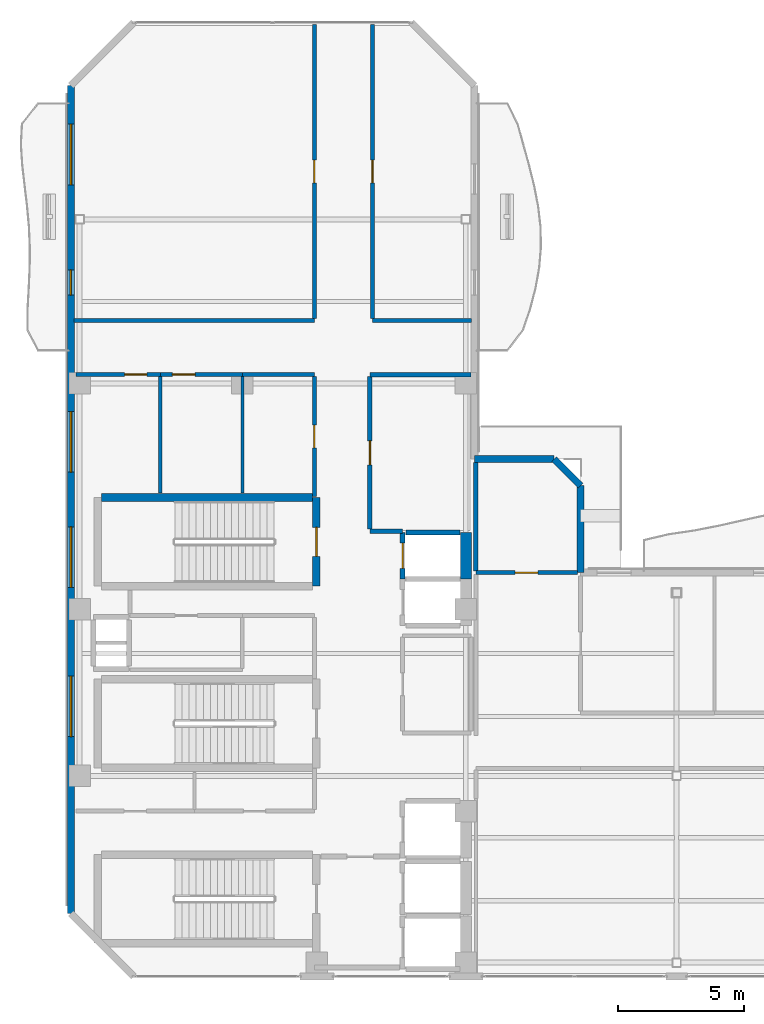
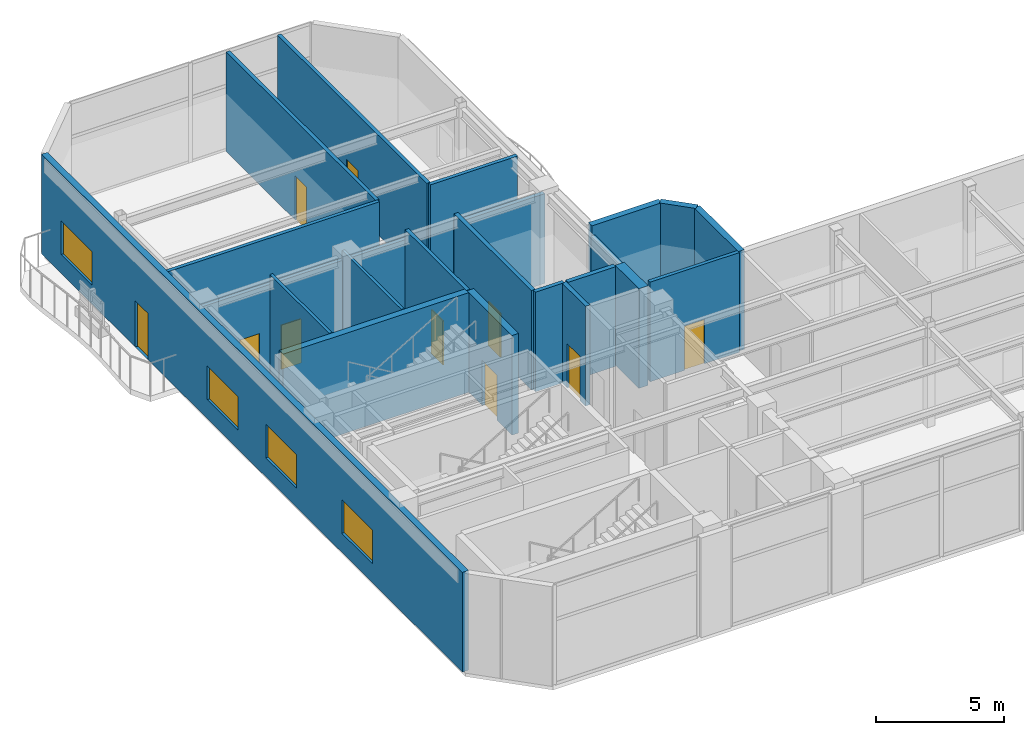
# One storey, part 11 of 16: 24 walls, 10 doors, 4 windows, 14 openings.
"""IFC4 building model written with IfcOpenShell, lengths in metres."""

from ifc_helpers import new_model, si_unit, direction, frame, frame_2d, origin, place, context, subcontext, project, spatial, rectangle, extrude, material, layer, layer_set, type_object, element, fill, save


model = new_model("IFC4")

# Units and contexts
model_context = context("Model", 3, precision=1e-05, world=origin(), true_north=direction((0.0, 1.0)))
body_context = subcontext(model_context, "Body", "Model", "MODEL_VIEW")
ifc_project = project(units=[si_unit("LENGTHUNIT", "METRE"), si_unit("AREAUNIT", "SQUARE_METRE"), si_unit("VOLUMEUNIT", "CUBIC_METRE"), si_unit("PLANEANGLEUNIT", "RADIAN"), si_unit("MASSUNIT", "GRAM", prefix="KILO")], contexts=[model_context])

# Site, building, storey
site_placement = place(None, origin())
site = spatial("IfcSite", under=ifc_project, at=site_placement, CompositionType="ELEMENT")
building_placement = place(site_placement, origin())
building = spatial("IfcBuilding", under=site, at=building_placement, Name="Mawjaban Terraces University", CompositionType="ELEMENT")
storey_placement = place(building_placement, frame((0.0, 0.0, 311.699951171875)))
storey = spatial("IfcBuildingStorey", under=building, at=storey_placement, Name="L76", CompositionType="ELEMENT", Elevation=311.699951171875)

# Walls
ifc_material_1 = material(Name="Acoustic masonry blockwork", Category="masonry")
ifc_layer_1 = layer(ifc_material_1, 0.179931640625)
ifc_layer_set_1 = layer_set([ifc_layer_1], Name="Acoustic masonry blockwork")
wall_type_1 = type_object("IfcWallType", Name="AcousticStudioWall_180", PredefinedType="PARTITIONING", material=ifc_layer_set_1)
wall_1_placement = place(storey_placement, frame((33.85009765625, 17.64990234375, 0.0), z_axis=(0.0, 0.0, 1.0), x_axis=(1.0, 0.0, 0.0)))
element("IfcWall", 1, at=wall_1_placement, inside=storey, type_object=wall_type_1, Name="L76 Lookout Exhibition Curatorial Studio Partition 11", PredefinedType="PARTITIONING", context=body_context, shape_type="SweptSolid", body=[
    extrude(rectangle(XDim=1.2998046875, YDim=0.179931640625, at=frame_2d((0.64990234375, 0.0))), origin(), (0.0, 0.0, 1.0), 4.739990234375),
])
wall_2_placement = place(storey_placement, frame((37.85009765625, 23.85009765625, 0.0), z_axis=(0.0, 0.0, 1.0), x_axis=(-1.0, 0.0, 0.0)))
element("IfcWall", 2, at=wall_2_placement, inside=storey, type_object=wall_type_1, Name="L76 Lookout Exhibition Curatorial Studio Partition 15", PredefinedType="PARTITIONING", context=body_context, shape_type="SweptSolid", body=[
    extrude(rectangle(XDim=4.0, YDim=0.179931640625, at=frame_2d((2.0, 0.0))), origin(), (0.0, 0.0, 1.0), 4.27099609375),
])

# Wall, opening, door
wall_3_placement = place(storey_placement, frame((33.85009765625, 17.735107421875, 0.0), z_axis=(0.0, 0.0, 1.0), x_axis=(0.0, 1.0, 0.0)))
wall_3 = element("IfcWall", 3, at=wall_3_placement, inside=storey, type_object=wall_type_1, Name="L76 Observation North Lift Lobby Partition 31", PredefinedType="PARTITIONING", context=body_context, shape_type="SweptSolid", body=[
    extrude(rectangle(XDim=6.02978515625, YDim=0.179931640625, at=frame_2d((3.014892578125, 0.0))), origin(), (0.0, 0.0, 1.0), 4.739990234375),
])
opening_1_placement = place(wall_3_placement, frame((2.5400390625, 0.0, 0.0)))
opening_1 = element("IfcOpeningElement", 4, at=opening_1_placement, cuts=wall_3, Name="Opening ID-095", PredefinedType="OPENING", context=body_context, shape_type="SweptSolid", body=[
    extrude(rectangle(XDim=0.949951171875, YDim=2.10009765625, at=frame_2d((0.47509765625, 1.050048828125))), frame((0.0, 0.099853515625, 0.0), z_axis=(0.0, -1.0, 0.0), x_axis=(1.0, 0.0, 0.0)), (0.0, 0.0, 1.0), 0.199951171875),
])
ifc_material_2 = material(Name="Powder-coated steel frame and solid acoustic timber leaf", Category="steel")
door_type_1 = type_object("IfcDoorType", Name="StudioDoor_950x2100", OperationType="NOTDEFINED", PredefinedType="DOOR", material=ifc_material_2)
door_1_placement = place(opening_1_placement, origin())
door_1 = element("IfcDoor", 5, at=door_1_placement, inside=storey, type_object=door_type_1, Name="L76 Lookout Exhibition Curatorial Studio Door", OperationType="SINGLE_SWING_RIGHT", OverallHeight=2.10009765625, OverallWidth=0.949951171875, PredefinedType="DOOR", context=body_context, shape_type="SweptSolid", body=[
    extrude(rectangle(XDim=0.949951171875, YDim=2.10009765625, at=frame_2d((0.47509765625, 1.050048828125))), frame((0.0, 0.02490234375, 0.0), z_axis=(0.0, -1.0, 0.0), x_axis=(1.0, 0.0, 0.0)), (0.0, 0.0, 1.0), 0.050048828125),
])
fill(opening_1, door_1)

# Walls
wall_4_placement = place(storey_placement, frame((38.050048828125, 20.366943359375, 0.0), z_axis=(0.0, 0.0, 1.0), x_axis=(0.0, -1.0, 0.0)))
element("IfcWall", 6, at=wall_4_placement, inside=storey, type_object=wall_type_1, Name="L76 Lookout Terrace Vestibule Salon Partition 38", PredefinedType="PARTITIONING", context=body_context, shape_type="SweptSolid", body=[
    extrude(rectangle(XDim=4.2919921875, YDim=0.179931640625, at=frame_2d((2.14599609375, 0.0))), origin(), (0.0, 0.0, 1.0), 4.27099609375),
])
ifc_material_3 = material(Name="Concrete C50/60", Category="concrete")
ifc_layer_2 = layer(ifc_material_3, 0.419921875)
ifc_layer_set_2 = layer_set([ifc_layer_2], Name="Concrete C50/60")
wall_type_2 = type_object("IfcWallType", Name="CoreShearWall_420", PredefinedType="SHEAR", material=ifc_layer_set_2)
wall_5_placement = place(storey_placement, frame((37.659912109375, 15.75, 0.0), z_axis=(0.0, 0.0, 1.0), x_axis=(0.0, 1.0, 0.0)))
element("IfcWall", 7, at=wall_5_placement, inside=storey, type_object=wall_type_2, Name="L76 Lift OL-2 Hoistway Wall East", PredefinedType="SHEAR", context=body_context, shape_type="SweptSolid", body=[
    extrude(rectangle(XDim=1.85009765625, YDim=0.419921875, at=frame_2d((0.925048828125, 0.0))), origin(), (0.0, 0.0, 1.0), 4.739990234375),
])

# Wall, opening, door
ifc_material_4 = material(Name="Fire-rated gypsum board on steel stud", Category="steel")
ifc_layer_3 = layer(ifc_material_4, 0.159912109375)
ifc_layer_set_3 = layer_set([ifc_layer_3], Name="Fire-rated gypsum board on steel stud")
wall_type_3 = type_object("IfcWallType", Name="CorridorPartition_160", PredefinedType="PARTITIONING", material=ifc_layer_set_3)
wall_6_placement = place(storey_placement, frame((25.550048828125, 23.85009765625, 0.0), z_axis=(0.0, 0.0, 1.0), x_axis=(-1.0, 0.0, 0.0)))
wall_6 = element("IfcWall", 8, at=wall_6_placement, inside=storey, type_object=wall_type_3, Name="L76 Female Toilet Partition 3", PredefinedType="PARTITIONING", context=body_context, shape_type="SweptSolid", body=[
    extrude(rectangle(XDim=3.35009765625, YDim=0.159912109375, at=frame_2d((1.675048828125, 0.0))), origin(), (0.0, 0.0, 1.0), 4.27099609375),
])
opening_2_placement = place(wall_6_placement, frame((0.534912109375, 0.0, 0.0)))
opening_2 = element("IfcOpeningElement", 9, at=opening_2_placement, cuts=wall_6, Name="Opening ID-088", PredefinedType="OPENING", context=body_context, shape_type="SweptSolid", body=[
    extrude(rectangle(XDim=0.8798828125, YDim=2.10009765625, at=frame_2d((0.43994140625, 1.050048828125))), frame((0.0, 0.08984375, 0.0), z_axis=(0.0, -1.0, 0.0), x_axis=(1.0, 0.0, 0.0)), (0.0, 0.0, 1.0), 0.179931640625),
])
door_type_2 = type_object("IfcDoorType", Name="ToiletDoor_880x2100", OperationType="NOTDEFINED", PredefinedType="DOOR", material=ifc_material_2)
door_2_placement = place(opening_2_placement, origin())
door_2 = element("IfcDoor", 10, at=door_2_placement, inside=storey, type_object=door_type_2, Name="L76 Female Toilet Door", OperationType="SINGLE_SWING_LEFT", OverallHeight=2.10009765625, OverallWidth=0.8798828125, PredefinedType="DOOR", context=body_context, shape_type="SweptSolid", body=[
    extrude(rectangle(XDim=0.8798828125, YDim=2.10009765625, at=frame_2d((0.43994140625, 1.050048828125))), frame((0.0, 0.02490234375, 0.0), z_axis=(0.0, -1.0, 0.0), x_axis=(1.0, 0.0, 0.0)), (0.0, 0.0, 1.0), 0.050048828125),
])
fill(opening_2, door_2)

wall_7_placement = place(storey_placement, frame((28.800048828125, 23.85009765625, 0.0), z_axis=(0.0, 0.0, 1.0), x_axis=(-1.0, 0.0, 0.0)))
wall_7 = element("IfcWall", 11, at=wall_7_placement, inside=storey, type_object=wall_type_3, Name="L76 Staff Tea Pantry Partition 6", PredefinedType="PARTITIONING", context=body_context, shape_type="SweptSolid", body=[
    extrude(rectangle(XDim=3.25, YDim=0.159912109375, at=frame_2d((1.625, 0.0))), origin(), (0.0, 0.0, 1.0), 4.27099609375),
])
opening_3_placement = place(wall_7_placement, frame((1.875, 0.0, 0.0)))
opening_3 = element("IfcOpeningElement", 12, at=opening_3_placement, cuts=wall_7, Name="Opening ID-090", PredefinedType="OPENING", context=body_context, shape_type="SweptSolid", body=[
    extrude(rectangle(XDim=0.89990234375, YDim=2.10009765625, at=frame_2d((0.449951171875, 1.050048828125))), frame((0.0, 0.08984375, 0.0), z_axis=(0.0, -1.0, 0.0), x_axis=(1.0, 0.0, 0.0)), (0.0, 0.0, 1.0), 0.179931640625),
])
door_type_3 = type_object("IfcDoorType", Name="OfficeDoor_900x2100", OperationType="NOTDEFINED", PredefinedType="DOOR", material=ifc_material_2)
door_3_placement = place(opening_3_placement, origin())
door_3 = element("IfcDoor", 13, at=door_3_placement, inside=storey, type_object=door_type_3, Name="L76 Staff Tea Pantry Door", OperationType="SINGLE_SWING_RIGHT", OverallHeight=2.10009765625, OverallWidth=0.89990234375, PredefinedType="DOOR", context=body_context, shape_type="SweptSolid", body=[
    extrude(rectangle(XDim=0.89990234375, YDim=2.10009765625, at=frame_2d((0.449951171875, 1.050048828125))), frame((0.0, 0.02490234375, 0.0), z_axis=(0.0, -1.0, 0.0), x_axis=(1.0, 0.0, 0.0)), (0.0, 0.0, 1.0), 0.050048828125),
])
fill(opening_3, door_3)

# Walls
wall_8_placement = place(storey_placement, frame((31.64990234375, 23.85009765625, 0.0), z_axis=(0.0, 0.0, 1.0), x_axis=(-1.0, 0.0, 0.0)))
element("IfcWall", 14, at=wall_8_placement, inside=storey, type_object=wall_type_3, Name="L76 Sky Observatory Visitor Lounge Partition 9", PredefinedType="PARTITIONING", context=body_context, shape_type="SweptSolid", body=[
    extrude(rectangle(XDim=2.849853515625, YDim=0.159912109375, at=frame_2d((1.4248046875, 0.0))), origin(), (0.0, 0.0, 1.0), 4.27099609375),
])
wall_9_placement = place(storey_placement, frame((31.64990234375, 26.0, 0.0), z_axis=(0.0, 0.0, 1.0), x_axis=(-1.0, 0.0, 0.0)))
element("IfcWall", 15, at=wall_9_placement, inside=storey, type_object=wall_type_3, Name="L76 North Core Cross-Corridor Partition 10", PredefinedType="PARTITIONING", context=body_context, shape_type="SweptSolid", body=[
    extrude(rectangle(XDim=9.516845703125, YDim=0.159912109375, at=frame_2d((4.75830078125, 0.0))), origin(), (0.0, 0.0, 1.0), 4.739990234375),
])
wall_10_placement = place(storey_placement, frame((37.866943359375, 26.0, 0.0), z_axis=(0.0, 0.0, 1.0), x_axis=(-1.0, 0.0, 0.0)))
element("IfcWall", 16, at=wall_10_placement, inside=storey, type_object=wall_type_3, Name="L76 North Core Cross-Corridor Partition 16", PredefinedType="PARTITIONING", context=body_context, shape_type="SweptSolid", body=[
    extrude(rectangle(XDim=3.9169921875, YDim=0.159912109375, at=frame_2d((1.95849609375, 0.0))), origin(), (0.0, 0.0, 1.0), 4.739990234375),
])

# Wall, opening, door
wall_11_placement = place(storey_placement, frame((38.050048828125, 16.0, 0.0), z_axis=(0.0, 0.0, 1.0), x_axis=(1.0, 0.0, 0.0)))
wall_11 = element("IfcWall", 17, at=wall_11_placement, inside=storey, type_object=wall_type_3, Name="L76 Lookout Terrace Vestibule Salon Partition 18", PredefinedType="PARTITIONING", context=body_context, shape_type="SweptSolid", body=[
    extrude(rectangle(XDim=4.01806640625, YDim=0.159912109375, at=frame_2d((2.009033203125, 0.0))), origin(), (0.0, 0.0, 1.0), 4.739990234375),
])
opening_4_placement = place(wall_11_placement, frame((1.55908203125, 0.0, 0.0)))
opening_4 = element("IfcOpeningElement", 18, at=opening_4_placement, cuts=wall_11, Name="Opening ID-090", PredefinedType="OPENING", context=body_context, shape_type="SweptSolid", body=[
    extrude(rectangle(XDim=0.89990234375, YDim=2.10009765625, at=frame_2d((0.449951171875, 1.050048828125))), frame((0.0, 0.08984375, 0.0), z_axis=(0.0, -1.0, 0.0), x_axis=(1.0, 0.0, 0.0)), (0.0, 0.0, 1.0), 0.179931640625),
])
door_4_placement = place(opening_4_placement, origin())
door_4 = element("IfcDoor", 19, at=door_4_placement, inside=storey, type_object=door_type_3, Name="L76 Lookout Terrace Vestibule Salon Door", OperationType="SINGLE_SWING_RIGHT", OverallHeight=2.10009765625, OverallWidth=0.89990234375, PredefinedType="DOOR", context=body_context, shape_type="SweptSolid", body=[
    extrude(rectangle(XDim=0.89990234375, YDim=2.10009765625, at=frame_2d((0.449951171875, 1.050048828125))), frame((0.0, 0.02490234375, 0.0), z_axis=(0.0, -1.0, 0.0), x_axis=(1.0, 0.0, 0.0)), (0.0, 0.0, 1.0), 0.050048828125),
])
fill(opening_4, door_4)

wall_12_placement = place(storey_placement, frame((31.64990234375, 19.010009765625, 0.0), z_axis=(0.0, 0.0, 1.0), x_axis=(0.0, 1.0, 0.0)))
wall_12 = element("IfcWall", 20, at=wall_12_placement, inside=storey, type_object=wall_type_3, Name="L76 Sky Observatory Visitor Lounge Partition 29", PredefinedType="PARTITIONING", context=body_context, shape_type="SweptSolid", body=[
    extrude(rectangle(XDim=4.764892578125, YDim=0.159912109375, at=frame_2d((2.38232421875, 0.0))), origin(), (0.0, 0.0, 1.0), 4.739990234375),
])
opening_5_placement = place(wall_12_placement, frame((1.931884765625, 0.0, 0.0)))
opening_5 = element("IfcOpeningElement", 21, at=opening_5_placement, cuts=wall_12, Name="Opening ID-090", PredefinedType="OPENING", context=body_context, shape_type="SweptSolid", body=[
    extrude(rectangle(XDim=0.89990234375, YDim=2.10009765625, at=frame_2d((0.449951171875, 1.050048828125))), frame((0.0, 0.08984375, 0.0), z_axis=(0.0, -1.0, 0.0), x_axis=(1.0, 0.0, 0.0)), (0.0, 0.0, 1.0), 0.179931640625),
])
door_5_placement = place(opening_5_placement, origin())
door_5 = element("IfcDoor", 22, at=door_5_placement, inside=storey, type_object=door_type_3, Name="L76 Sky Observatory Visitor Lounge Door", OperationType="SINGLE_SWING_LEFT", OverallHeight=2.10009765625, OverallWidth=0.89990234375, PredefinedType="DOOR", context=body_context, shape_type="SweptSolid", body=[
    extrude(rectangle(XDim=0.89990234375, YDim=2.10009765625, at=frame_2d((0.449951171875, 1.050048828125))), frame((0.0, 0.02490234375, 0.0), z_axis=(0.0, -1.0, 0.0), x_axis=(1.0, 0.0, 0.0)), (0.0, 0.0, 1.0), 0.050048828125),
])
fill(opening_5, door_5)

wall_13_placement = place(storey_placement, frame((31.64990234375, 37.719970703125, 0.0), z_axis=(0.0, 0.0, 1.0), x_axis=(0.0, -1.0, 0.0)))
wall_13 = element("IfcWall", 23, at=wall_13_placement, inside=storey, type_object=wall_type_3, Name="L76 Observation North Corridor Partition 30", PredefinedType="PARTITIONING", context=body_context, shape_type="SweptSolid", body=[
    extrude(rectangle(XDim=11.64501953125, YDim=0.159912109375, at=frame_2d((5.822509765625, 0.0))), origin(), (0.0, 0.0, 1.0), 4.739990234375),
])
opening_6_placement = place(wall_13_placement, frame((5.3720703125, 0.0, 0.0)))
opening_6 = element("IfcOpeningElement", 24, at=opening_6_placement, cuts=wall_13, Name="Opening ID-090", PredefinedType="OPENING", context=body_context, shape_type="SweptSolid", body=[
    extrude(rectangle(XDim=0.89990234375, YDim=2.10009765625, at=frame_2d((0.449951171875, 1.050048828125))), frame((0.0, 0.08984375, 0.0), z_axis=(0.0, -1.0, 0.0), x_axis=(1.0, 0.0, 0.0)), (0.0, 0.0, 1.0), 0.179931640625),
])
door_6_placement = place(opening_6_placement, origin())
door_6 = element("IfcDoor", 25, at=door_6_placement, inside=storey, type_object=door_type_3, Name="L76 Hijaz Topography Exhibition Hall Door", OperationType="SINGLE_SWING_LEFT", OverallHeight=2.10009765625, OverallWidth=0.89990234375, PredefinedType="DOOR", context=body_context, shape_type="SweptSolid", body=[
    extrude(rectangle(XDim=0.89990234375, YDim=2.10009765625, at=frame_2d((0.449951171875, 1.050048828125))), frame((0.0, 0.02490234375, 0.0), z_axis=(0.0, -1.0, 0.0), x_axis=(1.0, 0.0, 0.0)), (0.0, 0.0, 1.0), 0.050048828125),
])
fill(opening_6, door_6)

wall_14_placement = place(storey_placement, frame((33.949951171875, 26.074951171875, 0.0), z_axis=(0.0, 0.0, 1.0), x_axis=(0.0, 1.0, 0.0)))
wall_14 = element("IfcWall", 26, at=wall_14_placement, inside=storey, type_object=wall_type_3, Name="L76 Observation North Corridor Partition 32", PredefinedType="PARTITIONING", context=body_context, shape_type="SweptSolid", body=[
    extrude(rectangle(XDim=11.64501953125, YDim=0.159912109375, at=frame_2d((5.822509765625, 0.0))), origin(), (0.0, 0.0, 1.0), 4.739990234375),
])
opening_7_placement = place(wall_14_placement, frame((5.3720703125, 0.0, 0.0)))
opening_7 = element("IfcOpeningElement", 27, at=opening_7_placement, cuts=wall_14, Name="Opening ID-090", PredefinedType="OPENING", context=body_context, shape_type="SweptSolid", body=[
    extrude(rectangle(XDim=0.89990234375, YDim=2.10009765625, at=frame_2d((0.449951171875, 1.050048828125))), frame((0.0, 0.08984375, 0.0), z_axis=(0.0, -1.0, 0.0), x_axis=(1.0, 0.0, 0.0)), (0.0, 0.0, 1.0), 0.179931640625),
])
door_7_placement = place(opening_7_placement, origin())
door_7 = element("IfcDoor", 28, at=door_7_placement, inside=storey, type_object=door_type_3, Name="L76 Sky Lookout Quiet Reading Gallery Door", OperationType="SINGLE_SWING_RIGHT", OverallHeight=2.10009765625, OverallWidth=0.89990234375, PredefinedType="DOOR", context=body_context, shape_type="SweptSolid", body=[
    extrude(rectangle(XDim=0.89990234375, YDim=2.10009765625, at=frame_2d((0.449951171875, 1.050048828125))), frame((0.0, 0.02490234375, 0.0), z_axis=(0.0, -1.0, 0.0), x_axis=(1.0, 0.0, 0.0)), (0.0, 0.0, 1.0), 0.050048828125),
])
fill(opening_7, door_7)

# Walls
ifc_material_5 = material(Name="Insulated terracotta rainscreen on concrete backup C40/50", Category="masonry")
ifc_layer_4 = layer(ifc_material_5, 0.27490234375)
ifc_layer_set_4 = layer_set([ifc_layer_4], Name="Insulated terracotta rainscreen on concrete backup C40/50")
wall_type_4 = type_object("IfcWallType", Name="ExtTerracottaWall_275", PredefinedType="SOLIDWALL", material=ifc_layer_set_4)
wall_15_placement = place(storey_placement, frame((42.199951171875, 16.0, 0.0), z_axis=(0.0, 0.0, 1.0), x_axis=(0.0, 1.0, 0.0)))
element("IfcWall", 29, at=wall_15_placement, inside=storey, type_object=wall_type_4, Name="L76 Exterior Terracotta Wall 6", PredefinedType="SOLIDWALL", context=body_context, shape_type="SweptSolid", body=[
    extrude(rectangle(XDim=3.449951171875, YDim=0.27490234375, at=frame_2d((1.72509765625, 0.0))), origin(), (0.0, 0.0, 1.0), 4.739990234375),
])
wall_16_placement = place(storey_placement, frame((42.199951171875, 19.449951171875, 0.0), z_axis=(0.0, 0.0, 1.0), x_axis=(-0.707106781187, 0.707106781187, 0.0)))
element("IfcWall", 30, at=wall_16_placement, inside=storey, type_object=wall_type_4, Name="L76 Exterior Terracotta Wall 7", PredefinedType="SOLIDWALL", context=body_context, shape_type="SweptSolid", body=[
    extrude(rectangle(XDim=1.485107421875, YDim=0.27490234375, at=frame_2d((0.74267578125, 0.0))), origin(), (0.0, 0.0, 1.0), 4.739990234375),
])
wall_17_placement = place(storey_placement, frame((41.14990234375, 20.5, 0.0), z_axis=(0.0, 0.0, 1.0), x_axis=(-1.0, 0.0, 0.0)))
element("IfcWall", 31, at=wall_17_placement, inside=storey, type_object=wall_type_4, Name="L76 Exterior Terracotta Wall 8", PredefinedType="SOLIDWALL", context=body_context, shape_type="SweptSolid", body=[
    extrude(rectangle(XDim=3.14990234375, YDim=0.27490234375, at=frame_2d((1.574951171875, 0.0))), origin(), (0.0, 0.0, 1.0), 4.739990234375),
])

# Wall, openings, door, windows
wall_18_placement = place(storey_placement, frame((22.0, 35.300048828125, 0.0), z_axis=(0.0, 0.0, 1.0), x_axis=(0.0, -1.0, 0.0)))
wall_18 = element("IfcWall", 32, at=wall_18_placement, inside=storey, type_object=wall_type_4, Name="L76 Exterior Terracotta Wall 13", PredefinedType="SOLIDWALL", context=body_context, shape_type="SweptSolid", body=[
    extrude(rectangle(XDim=32.800048828125, YDim=0.27490234375, at=frame_2d((16.39990234375, 0.0))), origin(), (0.0, 0.0, 1.0), 4.739990234375),
])
opening_8_placement = place(wall_18_placement, frame((7.300048828125, 0.0, 0.0)))
opening_8 = element("IfcOpeningElement", 33, at=opening_8_placement, cuts=wall_18, Name="Opening BD-100", PredefinedType="OPENING", context=body_context, shape_type="SweptSolid", body=[
    extrude(rectangle(XDim=1.0, YDim=2.199951171875, at=frame_2d((0.5, 1.10009765625))), frame((0.0, 0.1474609375, 0.0), z_axis=(0.0, -1.0, 0.0), x_axis=(1.0, 0.0, 0.0)), (0.0, 0.0, 1.0), 0.294921875),
])
opening_9_placement = place(wall_18_placement, frame((1.532958984375, 0.0, 0.89990234375)))
opening_9 = element("IfcOpeningElement", 34, at=opening_9_placement, cuts=wall_18, Name="Opening W-05", PredefinedType="OPENING", context=body_context, shape_type="SweptSolid", body=[
    extrude(rectangle(XDim=2.39990234375, YDim=1.60009765625, at=frame_2d((1.199951171875, 0.800048828125))), frame((0.0, 0.1474609375, 0.0), z_axis=(0.0, -1.0, 0.0), x_axis=(1.0, 0.0, 0.0)), (0.0, 0.0, 1.0), 0.294921875),
])
opening_10_placement = place(wall_18_placement, frame((12.9169921875, 0.0, 0.89990234375)))
opening_10 = element("IfcOpeningElement", 35, at=opening_10_placement, cuts=wall_18, Name="Opening W-05", PredefinedType="OPENING", context=body_context, shape_type="SweptSolid", body=[
    extrude(rectangle(XDim=2.39990234375, YDim=1.60009765625, at=frame_2d((1.199951171875, 0.800048828125))), frame((0.0, 0.1474609375, 0.0), z_axis=(0.0, -1.0, 0.0), x_axis=(1.0, 0.0, 0.0)), (0.0, 0.0, 1.0), 0.294921875),
])
opening_11_placement = place(wall_18_placement, frame((17.48291015625, 0.0, 0.89990234375)))
opening_11 = element("IfcOpeningElement", 36, at=opening_11_placement, cuts=wall_18, Name="Opening W-05", PredefinedType="OPENING", context=body_context, shape_type="SweptSolid", body=[
    extrude(rectangle(XDim=2.39990234375, YDim=1.60009765625, at=frame_2d((1.199951171875, 0.800048828125))), frame((0.0, 0.1474609375, 0.0), z_axis=(0.0, -1.0, 0.0), x_axis=(1.0, 0.0, 0.0)), (0.0, 0.0, 1.0), 0.294921875),
])
opening_12_placement = place(wall_18_placement, frame((23.39990234375, 0.0, 0.89990234375)))
opening_12 = element("IfcOpeningElement", 37, at=opening_12_placement, cuts=wall_18, Name="Opening W-05", PredefinedType="OPENING", context=body_context, shape_type="SweptSolid", body=[
    extrude(rectangle(XDim=2.39990234375, YDim=1.60009765625, at=frame_2d((1.199951171875, 0.800048828125))), frame((0.0, 0.1474609375, 0.0), z_axis=(0.0, -1.0, 0.0), x_axis=(1.0, 0.0, 0.0)), (0.0, 0.0, 1.0), 0.294921875),
])
ifc_material_6 = material(Name="Thermally broken anodised aluminium and laminated safety glass", Category="aluminium")
door_type_4 = type_object("IfcDoorType", Name="BalconyGlazedDoor_1000x2200", OperationType="NOTDEFINED", PredefinedType="DOOR", material=ifc_material_6)
door_8_placement = place(opening_8_placement, origin())
door_8 = element("IfcDoor", 38, at=door_8_placement, inside=storey, type_object=door_type_4, Name="L76 Balcony Access Door west", OperationType="SINGLE_SWING_LEFT", OverallHeight=2.199951171875, OverallWidth=1.0, PredefinedType="DOOR", context=body_context, shape_type="SweptSolid", body=[
    extrude(rectangle(XDim=1.0, YDim=2.199951171875, at=frame_2d((0.5, 1.10009765625))), frame((0.0, 0.02490234375, 0.0), z_axis=(0.0, -1.0, 0.0), x_axis=(1.0, 0.0, 0.0)), (0.0, 0.0, 1.0), 0.050048828125),
])
fill(opening_8, door_8)
ifc_material_7 = material(Name="Low-E solar-control double glazing in thermally broken aluminium frame", Category="aluminium")
window_type = type_object("IfcWindowType", Name="Win_2400x1600", PartitioningType="SINGLE_PANEL", PredefinedType="WINDOW", material=ifc_material_7)
window_1_placement = place(opening_9_placement, origin())
window_1 = element("IfcWindow", 39, at=window_1_placement, inside=storey, type_object=window_type, Name="L76 Facade Window 13.1", OverallHeight=1.60009765625, OverallWidth=2.39990234375, PartitioningType="SINGLE_PANEL", PredefinedType="WINDOW", context=body_context, shape_type="SweptSolid", body=[
    extrude(rectangle(XDim=2.39990234375, YDim=1.60009765625, at=frame_2d((1.199951171875, 0.800048828125))), frame((0.0, 0.030029296875, 0.0), z_axis=(0.0, -1.0, 0.0), x_axis=(1.0, 0.0, 0.0)), (0.0, 0.0, 1.0), 0.06005859375),
])
fill(opening_9, window_1)
window_2_placement = place(opening_10_placement, origin())
window_2 = element("IfcWindow", 40, at=window_2_placement, inside=storey, type_object=window_type, Name="L76 Facade Window 13.3", OverallHeight=1.60009765625, OverallWidth=2.39990234375, PartitioningType="SINGLE_PANEL", PredefinedType="WINDOW", context=body_context, shape_type="SweptSolid", body=[
    extrude(rectangle(XDim=2.39990234375, YDim=1.60009765625, at=frame_2d((1.199951171875, 0.800048828125))), frame((0.0, 0.030029296875, 0.0), z_axis=(0.0, -1.0, 0.0), x_axis=(1.0, 0.0, 0.0)), (0.0, 0.0, 1.0), 0.06005859375),
])
fill(opening_10, window_2)
window_3_placement = place(opening_11_placement, origin())
window_3 = element("IfcWindow", 41, at=window_3_placement, inside=storey, type_object=window_type, Name="L76 Facade Window 13.4", OverallHeight=1.60009765625, OverallWidth=2.39990234375, PartitioningType="SINGLE_PANEL", PredefinedType="WINDOW", context=body_context, shape_type="SweptSolid", body=[
    extrude(rectangle(XDim=2.39990234375, YDim=1.60009765625, at=frame_2d((1.199951171875, 0.800048828125))), frame((0.0, 0.030029296875, 0.0), z_axis=(0.0, -1.0, 0.0), x_axis=(1.0, 0.0, 0.0)), (0.0, 0.0, 1.0), 0.06005859375),
])
fill(opening_11, window_3)
window_4_placement = place(opening_12_placement, origin())
window_4 = element("IfcWindow", 42, at=window_4_placement, inside=storey, type_object=window_type, Name="L76 Facade Window 13.5", OverallHeight=1.60009765625, OverallWidth=2.39990234375, PartitioningType="SINGLE_PANEL", PredefinedType="WINDOW", context=body_context, shape_type="SweptSolid", body=[
    extrude(rectangle(XDim=2.39990234375, YDim=1.60009765625, at=frame_2d((1.199951171875, 0.800048828125))), frame((0.0, 0.030029296875, 0.0), z_axis=(0.0, -1.0, 0.0), x_axis=(1.0, 0.0, 0.0)), (0.0, 0.0, 1.0), 0.06005859375),
])
fill(opening_12, window_4)

# Wall, opening, door
ifc_material_8 = material(Name="Concrete C40/50", Category="concrete")
ifc_layer_5 = layer(ifc_material_8, 0.199951171875)
ifc_layer_set_5 = layer_set([ifc_layer_5], Name="Concrete C40/50")
wall_type_5 = type_object("IfcWallType", Name="FireLobbyWall_200", PredefinedType="SOLIDWALL", material=ifc_layer_set_5)
wall_19_placement = place(storey_placement, frame((35.14990234375, 17.60009765625, 0.0), z_axis=(0.0, 0.0, 1.0), x_axis=(0.0, -1.0, 0.0)))
wall_19 = element("IfcWall", 43, at=wall_19_placement, inside=storey, type_object=wall_type_5, Name="L76 Lift OL-2 Hoistway Wall West", PredefinedType="SOLIDWALL", context=body_context, shape_type="SweptSolid", body=[
    extrude(rectangle(XDim=1.85009765625, YDim=0.199951171875, at=frame_2d((0.925048828125, 0.0))), origin(), (0.0, 0.0, 1.0), 4.739990234375),
])
opening_13_placement = place(wall_19_placement, frame((0.425048828125, 0.0, 0.0)))
opening_13 = element("IfcOpeningElement", 44, at=opening_13_placement, cuts=wall_19, Name="Opening LD-OL-2", PredefinedType="OPENING", context=body_context, shape_type="SweptSolid", body=[
    extrude(rectangle(XDim=1.0, YDim=2.10009765625, at=frame_2d((0.5, 1.050048828125))), frame((0.0, 0.10986328125, 0.0), z_axis=(0.0, -1.0, 0.0), x_axis=(1.0, 0.0, 0.0)), (0.0, 0.0, 1.0), 0.219970703125),
])
ifc_material_9 = material(Name="Powder-coated steel frame and fire-rated steel-faced leaf", Category="steel")
door_type_5 = type_object("IfcDoorType", Name="LiftLandingSliding_1000x2100", OperationType="NOTDEFINED", PredefinedType="DOOR", material=ifc_material_9)
door_9_placement = place(opening_13_placement, origin())
door_9 = element("IfcDoor", 45, at=door_9_placement, inside=storey, type_object=door_type_5, Name="L76 Lift OL-2 Sliding Landing Door", OperationType="DOUBLE_DOOR_SLIDING", OverallHeight=2.10009765625, OverallWidth=1.0, PredefinedType="DOOR", context=body_context, shape_type="SweptSolid", body=[
    extrude(rectangle(XDim=1.0, YDim=2.10009765625, at=frame_2d((0.5, 1.050048828125))), frame((0.0, 0.02490234375, 0.0), z_axis=(0.0, -1.0, 0.0), x_axis=(1.0, 0.0, 0.0)), (0.0, 0.0, 1.0), 0.050048828125),
])
fill(opening_13, door_9)

# Walls
wall_20_placement = place(storey_placement, frame((37.419921875, 17.60009765625, 0.0), z_axis=(0.0, 0.0, 1.0), x_axis=(-1.0, 0.0, 0.0)))
element("IfcWall", 46, at=wall_20_placement, inside=storey, type_object=wall_type_5, Name="L76 Lift OL-2 Hoistway Wall North", PredefinedType="SOLIDWALL", context=body_context, shape_type="SweptSolid", body=[
    extrude(rectangle(XDim=2.139892578125, YDim=0.199951171875, at=frame_2d((1.06982421875, 0.0))), origin(), (0.0, 0.0, 1.0), 4.739990234375),
])
ifc_material_10 = material(Name="Gypsum plasterboard on steel stud", Category="steel")
ifc_layer_6 = layer(ifc_material_10, 0.125)
ifc_layer_set_6 = layer_set([ifc_layer_6], Name="Gypsum plasterboard on steel stud")
wall_type_6 = type_object("IfcWallType", Name="OfficePartition_125", PredefinedType="PARTITIONING", material=ifc_layer_set_6)
wall_21_placement = place(storey_placement, frame((28.800048828125, 23.77490234375, 0.0), z_axis=(0.0, 0.0, 1.0), x_axis=(0.0, -1.0, 0.0)))
element("IfcWall", 47, at=wall_21_placement, inside=storey, type_object=wall_type_6, Name="L76 Sky Observatory Visitor Lounge Partition 26", PredefinedType="PARTITIONING", context=body_context, shape_type="SweptSolid", body=[
    extrude(rectangle(XDim=4.614990234375, YDim=0.125, at=frame_2d((2.3076171875, 0.0))), origin(), (0.0, 0.0, 1.0), 4.739990234375),
])
ifc_material_11 = material(Name="Concrete C60/75", Category="concrete")
ifc_layer_7 = layer(ifc_material_11, 0.300048828125)
ifc_layer_set_7 = layer_set([ifc_layer_7], Name="Concrete C60/75")
wall_type_7 = type_object("IfcWallType", Name="StairShaftWall_300", PredefinedType="SHEAR", material=ifc_layer_set_7)
wall_22_placement = place(storey_placement, frame((31.580078125, 18.97998046875, 0.0), z_axis=(0.0, 0.0, 1.0), x_axis=(-1.0, 0.0, 0.0)))
element("IfcWall", 48, at=wall_22_placement, inside=storey, type_object=wall_type_7, Name="L76 ST-2 Stair Shaft Wall 1", PredefinedType="SHEAR", context=body_context, shape_type="SweptSolid", body=[
    extrude(rectangle(XDim=8.360107421875, YDim=0.300048828125, at=frame_2d((4.18017578125, 0.0))), origin(), (0.0, 0.0, 1.0), 4.739990234375),
])

# Wall, opening, door
wall_23_placement = place(storey_placement, frame((31.72998046875, 15.469970703125, 0.0), z_axis=(0.0, 0.0, 1.0), x_axis=(0.0, 1.0, 0.0)))
wall_23 = element("IfcWall", 49, at=wall_23_placement, inside=storey, type_object=wall_type_7, Name="L76 ST-2 Stair Shaft Wall 4", PredefinedType="SHEAR", context=body_context, shape_type="SweptSolid", body=[
    extrude(rectangle(XDim=3.510009765625, YDim=0.300048828125, at=frame_2d((1.7548828125, 0.0))), origin(), (0.0, 0.0, 1.0), 4.739990234375),
])
opening_14_placement = place(wall_23_placement, frame((1.179931640625, 0.0, 0.0)))
opening_14 = element("IfcOpeningElement", 50, at=opening_14_placement, cuts=wall_23, Name="Opening FD-115", PredefinedType="OPENING", context=body_context, shape_type="SweptSolid", body=[
    extrude(rectangle(XDim=1.14990234375, YDim=2.14990234375, at=frame_2d((0.574951171875, 1.074951171875))), frame((0.0, 0.159912109375, 0.0), z_axis=(0.0, -1.0, 0.0), x_axis=(1.0, 0.0, 0.0)), (0.0, 0.0, 1.0), 0.320068359375),
])
door_type_6 = type_object("IfcDoorType", Name="FireStairDoor_1150x2150", OperationType="NOTDEFINED", PredefinedType="DOOR", material=ifc_material_9)
door_10_placement = place(opening_14_placement, origin())
door_10 = element("IfcDoor", 51, at=door_10_placement, inside=storey, type_object=door_type_6, Name="L76 ST-2 Pressurised Stair Fire Door", OperationType="SINGLE_SWING_RIGHT", OverallHeight=2.14990234375, OverallWidth=1.14990234375, PredefinedType="DOOR", context=body_context, shape_type="SweptSolid", body=[
    extrude(rectangle(XDim=1.14990234375, YDim=2.14990234375, at=frame_2d((0.574951171875, 1.074951171875))), frame((0.0, 0.02490234375, 0.0), z_axis=(0.0, -1.0, 0.0), x_axis=(1.0, 0.0, 0.0)), (0.0, 0.0, 1.0), 0.050048828125),
])
fill(opening_14, door_10)

# Wall
ifc_material_12 = material(Name="Cement-board wet-room partition", Category="masonry")
ifc_layer_8 = layer(ifc_material_12, 0.135009765625)
ifc_layer_set_8 = layer_set([ifc_layer_8], Name="Cement-board wet-room partition")
wall_type_8 = type_object("IfcWallType", Name="WetRoomPartition_135", PredefinedType="PARTITIONING", material=ifc_layer_set_8)
wall_24_placement = place(storey_placement, frame((25.550048828125, 19.159912109375, 0.0), z_axis=(0.0, 0.0, 1.0), x_axis=(0.0, 1.0, 0.0)))
element("IfcWall", 52, at=wall_24_placement, inside=storey, type_object=wall_type_8, Name="L76 Female Toilet Partition 23", PredefinedType="PARTITIONING", context=body_context, shape_type="SweptSolid", body=[
    extrude(rectangle(XDim=4.614990234375, YDim=0.135009765625, at=frame_2d((2.3076171875, 0.0))), origin(), (0.0, 0.0, 1.0), 4.739990234375),
])

save(model, "model.ifc")
